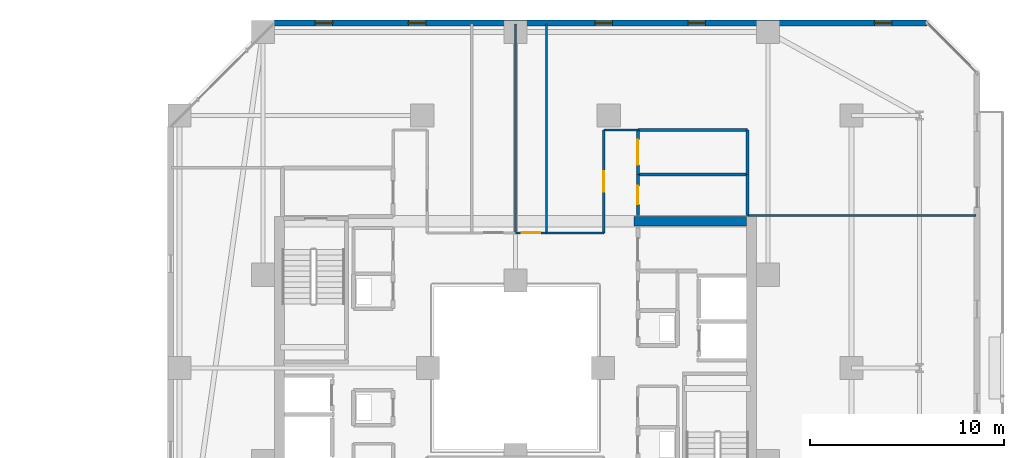
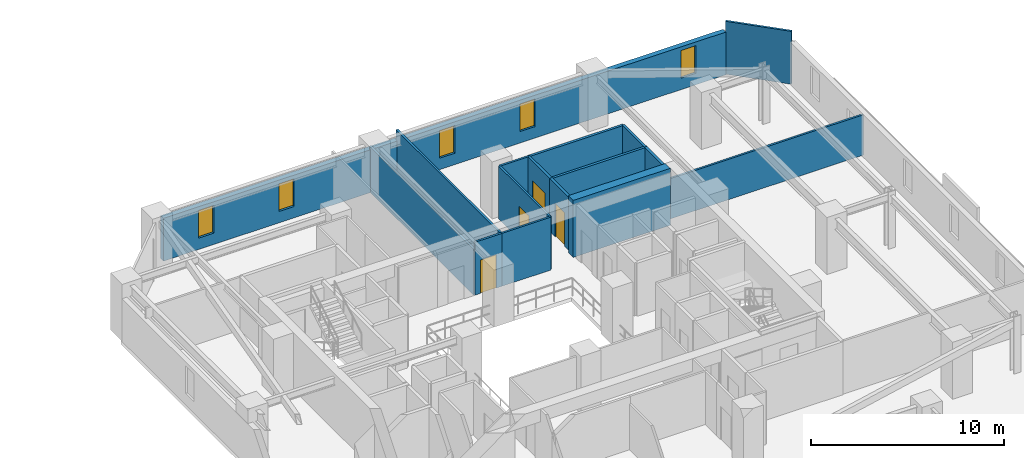
# One storey, part 25 of 33: 16 walls, 5 windows, 4 doors, 9 openings.
"""IFC4 building model written with IfcOpenShell, lengths in metres."""

from ifc_helpers import new_model, si_unit, direction, frame, frame_2d, origin, place, context, subcontext, project, spatial, rectangle, extrude, material, layer, layer_set, type_object, element, fill, save


model = new_model("IFC4")

# Units and contexts
model_context = context("Model", 3, precision=1e-05, world=origin(), true_north=direction((0.0, 1.0)))
body_context = subcontext(model_context, "Body", "Model", "MODEL_VIEW")
ifc_project = project(units=[si_unit("LENGTHUNIT", "METRE"), si_unit("AREAUNIT", "SQUARE_METRE"), si_unit("VOLUMEUNIT", "CUBIC_METRE"), si_unit("PLANEANGLEUNIT", "RADIAN"), si_unit("MASSUNIT", "GRAM", prefix="KILO")], contexts=[model_context])

# Site, building, storey
site_placement = place(None, origin())
site = spatial("IfcSite", under=ifc_project, at=site_placement, CompositionType="ELEMENT")
building_placement = place(site_placement, origin())
building = spatial("IfcBuilding", under=site, at=building_placement, Name="Thornwick Lancets Civic Towers", CompositionType="ELEMENT")
storey_placement = place(building_placement, frame((0.0, 0.0, 130.5)))
storey = spatial("IfcBuildingStorey", under=building, at=storey_placement, Name="L34", CompositionType="ELEMENT", Elevation=130.5)

# Wall
ifc_material_1 = material(Name="Concrete C50/60", Category="concrete")
ifc_layer_1 = layer(ifc_material_1, 0.5, Name="Concrete C50/60")
ifc_layer_set_1 = layer_set([ifc_layer_1], Name="Concrete C50/60")
wall_type_1 = type_object("IfcWallType", Name="WALL_CORE_500", PredefinedType="SHEAR", material=ifc_layer_set_1)
wall_1_placement = place(storey_placement, frame((94.60009765625, 34.550048828125, 0.0), z_axis=(0.0, 0.0, 1.0), x_axis=(1.0, 0.0, 0.0)))
element("IfcWall", 1, at=wall_1_placement, inside=storey, type_object=wall_type_1, Name="L34 Split Core B1 Shear Wall N", PredefinedType="SHEAR", context=body_context, shape_type="SweptSolid", body=[
    extrude(rectangle(XDim=5.7998046875, YDim=0.5, at=frame_2d((2.89990234375, 0.0))), origin(), (0.0, 0.0, 1.0), 3.60009765625),
])

# Wall, openings, windows
ifc_material_2 = material(Name="Insulated russet terracotta rainscreen on concrete C40/50", Category="masonry")
ifc_layer_2 = layer(ifc_material_2, 0.300048828125, Name="Insulated russet terracotta rainscreen on concrete C40/50")
ifc_layer_set_2 = layer_set([ifc_layer_2], Name="Insulated russet terracotta rainscreen on concrete C40/50")
wall_type_2 = type_object("IfcWallType", Name="WALL_EXT_RUSSET_300", PredefinedType="STANDARD", material=ifc_layer_set_2)
wall_2_placement = place(storey_placement, frame((109.681396484375, 44.7646484375, 0.0), z_axis=(0.0, 0.0, 1.0), x_axis=(-0.999999963872, -0.000268805477, 0.0)))
wall_2 = element("IfcWall", 2, at=wall_2_placement, inside=storey, type_object=wall_type_2, Name="L34 Tower B Terracotta Facade Wall E4", PredefinedType="STANDARD", context=body_context, shape_type="SweptSolid", body=[
    extrude(rectangle(XDim=33.60498046875, YDim=0.300048828125, at=frame_2d((16.802490234375, 0.0))), origin(), (0.0, 0.0, 1.0), 2.699951171875),
])
opening_1_placement = place(wall_2_placement, frame((1.800048828125, 0.0, 0.719970703125)))
opening_1 = element("IfcOpeningElement", 3, at=opening_1_placement, cuts=wall_2, Name="Opening WL-01", PredefinedType="OPENING", context=body_context, shape_type="SweptSolid", body=[
    extrude(rectangle(XDim=0.89990234375, YDim=1.75, at=frame_2d((0.449951171875, 0.875))), frame((0.0, 0.16015625, 0.0), z_axis=(0.0, -1.0, 0.0), x_axis=(1.0, 0.0, 0.0)), (0.0, 0.0, 1.0), 0.320068359375),
])
opening_2_placement = place(wall_2_placement, frame((11.39990234375, 0.0, 0.719970703125)))
opening_2 = element("IfcOpeningElement", 4, at=opening_2_placement, cuts=wall_2, Name="Opening WL-01", PredefinedType="OPENING", context=body_context, shape_type="SweptSolid", body=[
    extrude(rectangle(XDim=0.89990234375, YDim=1.75, at=frame_2d((0.449951171875, 0.875))), frame((0.0, 0.16015625, 0.0), z_axis=(0.0, -1.0, 0.0), x_axis=(1.0, 0.0, 0.0)), (0.0, 0.0, 1.0), 0.320068359375),
])
opening_3_placement = place(wall_2_placement, frame((16.199951171875, 0.0, 0.719970703125)))
opening_3 = element("IfcOpeningElement", 5, at=opening_3_placement, cuts=wall_2, Name="Opening WL-01", PredefinedType="OPENING", context=body_context, shape_type="SweptSolid", body=[
    extrude(rectangle(XDim=0.89990234375, YDim=1.75, at=frame_2d((0.449951171875, 0.875))), frame((0.0, 0.16015625, 0.0), z_axis=(0.0, -1.0, 0.0), x_axis=(1.0, 0.0, 0.0)), (0.0, 0.0, 1.0), 0.320068359375),
])
opening_4_placement = place(wall_2_placement, frame((25.800048828125, 0.0, 0.719970703125)))
opening_4 = element("IfcOpeningElement", 6, at=opening_4_placement, cuts=wall_2, Name="Opening WL-01", PredefinedType="OPENING", context=body_context, shape_type="SweptSolid", body=[
    extrude(rectangle(XDim=0.89990234375, YDim=1.75, at=frame_2d((0.449951171875, 0.875))), frame((0.0, 0.16015625, 0.0), z_axis=(0.0, -1.0, 0.0), x_axis=(1.0, 0.0, 0.0)), (0.0, 0.0, 1.0), 0.320068359375),
])
opening_5_placement = place(wall_2_placement, frame((30.60009765625, 0.0, 0.719970703125)))
opening_5 = element("IfcOpeningElement", 7, at=opening_5_placement, cuts=wall_2, Name="Opening WL-01", PredefinedType="OPENING", context=body_context, shape_type="SweptSolid", body=[
    extrude(rectangle(XDim=0.89990234375, YDim=1.75, at=frame_2d((0.449951171875, 0.875))), frame((0.0, 0.16015625, 0.0), z_axis=(0.0, -1.0, 0.0), x_axis=(1.0, 0.0, 0.0)), (0.0, 0.0, 1.0), 0.320068359375),
])
ifc_material_3 = material(Name="Clear low-e double glazing in bronze frame", Category="glass")
window_type = type_object("IfcWindowType", Name="WIN_LANCET_900", PartitioningType="SINGLE_PANEL", PredefinedType="WINDOW", material=ifc_material_3)
window_1_placement = place(opening_1_placement, origin())
window_1 = element("IfcWindow", 8, at=window_1_placement, inside=storey, type_object=window_type, Name="L34 Tower B Staggered Lancet Window E4-1", OverallHeight=1.75, OverallWidth=0.89990234375, PartitioningType="SINGLE_PANEL", PredefinedType="WINDOW", context=body_context, shape_type="SweptSolid", body=[
    extrude(rectangle(XDim=0.89990234375, YDim=1.75, at=frame_2d((0.449951171875, 0.875))), frame((0.0, 0.030029296875, 0.0), z_axis=(0.0, -1.0, 0.0), x_axis=(1.0, 0.0, 0.0)), (0.0, 0.0, 1.0), 0.06005859375),
])
fill(opening_1, window_1)
window_2_placement = place(opening_2_placement, origin())
window_2 = element("IfcWindow", 9, at=window_2_placement, inside=storey, type_object=window_type, Name="L34 Tower B Staggered Lancet Window E4-2", OverallHeight=1.75, OverallWidth=0.89990234375, PartitioningType="SINGLE_PANEL", PredefinedType="WINDOW", context=body_context, shape_type="SweptSolid", body=[
    extrude(rectangle(XDim=0.89990234375, YDim=1.75, at=frame_2d((0.449951171875, 0.875))), frame((0.0, 0.030029296875, 0.0), z_axis=(0.0, -1.0, 0.0), x_axis=(1.0, 0.0, 0.0)), (0.0, 0.0, 1.0), 0.06005859375),
])
fill(opening_2, window_2)
window_3_placement = place(opening_3_placement, origin())
window_3 = element("IfcWindow", 10, at=window_3_placement, inside=storey, type_object=window_type, Name="L34 Tower B Staggered Lancet Window E4-3", OverallHeight=1.75, OverallWidth=0.89990234375, PartitioningType="SINGLE_PANEL", PredefinedType="WINDOW", context=body_context, shape_type="SweptSolid", body=[
    extrude(rectangle(XDim=0.89990234375, YDim=1.75, at=frame_2d((0.449951171875, 0.875))), frame((0.0, 0.030029296875, 0.0), z_axis=(0.0, -1.0, 0.0), x_axis=(1.0, 0.0, 0.0)), (0.0, 0.0, 1.0), 0.06005859375),
])
fill(opening_3, window_3)
window_4_placement = place(opening_4_placement, origin())
window_4 = element("IfcWindow", 11, at=window_4_placement, inside=storey, type_object=window_type, Name="L34 Tower B Staggered Lancet Window E4-4", OverallHeight=1.75, OverallWidth=0.89990234375, PartitioningType="SINGLE_PANEL", PredefinedType="WINDOW", context=body_context, shape_type="SweptSolid", body=[
    extrude(rectangle(XDim=0.89990234375, YDim=1.75, at=frame_2d((0.449951171875, 0.875))), frame((0.0, 0.030029296875, 0.0), z_axis=(0.0, -1.0, 0.0), x_axis=(1.0, 0.0, 0.0)), (0.0, 0.0, 1.0), 0.06005859375),
])
fill(opening_4, window_4)
window_5_placement = place(opening_5_placement, origin())
window_5 = element("IfcWindow", 12, at=window_5_placement, inside=storey, type_object=window_type, Name="L34 Tower B Staggered Lancet Window E4-5", OverallHeight=1.75, OverallWidth=0.89990234375, PartitioningType="SINGLE_PANEL", PredefinedType="WINDOW", context=body_context, shape_type="SweptSolid", body=[
    extrude(rectangle(XDim=0.89990234375, YDim=1.75, at=frame_2d((0.449951171875, 0.875))), frame((0.0, 0.030029296875, 0.0), z_axis=(0.0, -1.0, 0.0), x_axis=(1.0, 0.0, 0.0)), (0.0, 0.0, 1.0), 0.06005859375),
])
fill(opening_5, window_5)

# Wall
ifc_material_4 = material(Name="Acoustic gypsum board partition")
ifc_layer_3 = layer(ifc_material_4, 0.1201171875, Name="Acoustic gypsum board partition")
ifc_layer_set_3 = layer_set([ifc_layer_3], Name="Acoustic gypsum board partition")
wall_type_3 = type_object("IfcWallType", Name="WALL_PART_120", PredefinedType="PARTITIONING", material=ifc_layer_set_3)
wall_3_placement = place(storey_placement, frame((94.800048828125, 39.25, 0.0), z_axis=(0.0, 0.0, 1.0), x_axis=(-1.0, 0.0, 0.0)))
element("IfcWall", 13, at=wall_3_placement, inside=storey, type_object=wall_type_3, Name="L34 Partition L34-B-E1 E4", PredefinedType="PARTITIONING", context=body_context, shape_type="SweptSolid", body=[
    extrude(rectangle(XDim=1.75, YDim=0.1201171875, at=frame_2d((0.875, 0.0))), origin(), (0.0, 0.0, 1.0), 3.340087890625),
])

# Wall, opening, door
wall_4_placement = place(storey_placement, frame((93.050048828125, 39.25, 0.0), z_axis=(0.0, 0.0, 1.0), x_axis=(0.0, -1.0, 0.0)))
wall_4 = element("IfcWall", 14, at=wall_4_placement, inside=storey, type_object=wall_type_3, Name="L34 Partition L34-B-E1 E5", PredefinedType="PARTITIONING", context=body_context, shape_type="SweptSolid", body=[
    extrude(rectangle(XDim=5.300048828125, YDim=0.1201171875, at=frame_2d((2.64990234375, 0.0))), origin(), (0.0, 0.0, 1.0), 3.340087890625),
])
opening_6_placement = place(wall_4_placement, frame((2.125, 0.0, 0.0)))
opening_6 = element("IfcOpeningElement", 15, at=opening_6_placement, cuts=wall_4, Name="Opening D-L34-1567", PredefinedType="OPENING", context=body_context, shape_type="SweptSolid", body=[
    extrude(rectangle(XDim=1.050048828125, YDim=2.10009765625, at=frame_2d((0.52490234375, 1.050048828125))), frame((0.0, 0.070068359375, 0.0), z_axis=(0.0, -1.0, 0.0), x_axis=(1.0, 0.0, 0.0)), (0.0, 0.0, 1.0), 0.14013671875),
])
ifc_material_5 = material(Name="Glazed European oak executive doorset")
door_type_1 = type_object("IfcDoorType", Name="DOOR_OFFICE_1050", OperationType="NOTDEFINED", PredefinedType="DOOR", material=ifc_material_5)
door_1_placement = place(opening_6_placement, origin())
door_1 = element("IfcDoor", 16, at=door_1_placement, inside=storey, type_object=door_type_1, Name="L34 Tower B Secretariat Open Office E1 Door", OperationType="SINGLE_SWING_RIGHT", OverallHeight=2.10009765625, OverallWidth=1.050048828125, PredefinedType="DOOR", context=body_context, shape_type="SweptSolid", body=[
    extrude(rectangle(XDim=1.050048828125, YDim=2.10009765625, at=frame_2d((0.52490234375, 1.050048828125))), frame((0.0, 0.02490234375, 0.0), z_axis=(0.0, -1.0, 0.0), x_axis=(1.0, 0.0, 0.0)), (0.0, 0.0, 1.0), 0.050048828125),
])
fill(opening_6, door_1)

# Walls
wall_5_placement = place(storey_placement, frame((93.050048828125, 33.949951171875, 0.0), z_axis=(0.0, 0.0, 1.0), x_axis=(-1.0, 0.0, 0.0)))
element("IfcWall", 17, at=wall_5_placement, inside=storey, type_object=wall_type_3, Name="L34 Partition L34-B-E1 E6", PredefinedType="PARTITIONING", context=body_context, shape_type="SweptSolid", body=[
    extrude(rectangle(XDim=2.949951171875, YDim=0.1201171875, at=frame_2d((1.47509765625, 0.0))), origin(), (0.0, 0.0, 1.0), 3.340087890625),
])
wall_6_placement = place(storey_placement, frame((90.10009765625, 33.949951171875, 0.0), z_axis=(0.0, 0.0, 1.0), x_axis=(0.0, 1.0, 0.0)))
element("IfcWall", 18, at=wall_6_placement, inside=storey, type_object=wall_type_3, Name="L34 Partition L34-B-E1 E7", PredefinedType="PARTITIONING", context=body_context, shape_type="SweptSolid", body=[
    extrude(rectangle(XDim=10.77001953125, YDim=0.1201171875, at=frame_2d((5.385009765625, 0.0))), origin(), (0.0, 0.0, 1.0), 3.340087890625),
])
wall_7_placement = place(storey_placement, frame((109.725341796875, 44.719970703125, 0.0), z_axis=(0.0, 0.0, 1.0), x_axis=(0.707106781187, -0.707106781187, 0.0)))
element("IfcWall", 19, at=wall_7_placement, inside=storey, type_object=wall_type_3, Name="L34 Partition L34-B-E1 E9", PredefinedType="PARTITIONING", context=body_context, shape_type="SweptSolid", body=[
    extrude(rectangle(XDim=3.52783203125, YDim=0.1201171875, at=frame_2d((1.763916015625, 0.0))), origin(), (0.0, 0.0, 1.0), 3.340087890625),
])
wall_8_placement = place(storey_placement, frame((112.219970703125, 34.85009765625, 0.0), z_axis=(0.0, 0.0, 1.0), x_axis=(-1.0, 0.0, 0.0)))
element("IfcWall", 20, at=wall_8_placement, inside=storey, type_object=wall_type_3, Name="L34 Partition L34-B-E1 E11", PredefinedType="PARTITIONING", context=body_context, shape_type="SweptSolid", body=[
    extrude(rectangle(XDim=11.77001953125, YDim=0.1201171875, at=frame_2d((5.885009765625, 0.0))), origin(), (0.0, 0.0, 1.0), 2.544921875),
])
wall_9_placement = place(storey_placement, frame((88.5, 33.949951171875, 0.0), z_axis=(0.0, 0.0, 1.0), x_axis=(0.0, 1.0, 0.0)))
element("IfcWall", 21, at=wall_9_placement, inside=storey, type_object=wall_type_3, Name="L34 Partition L34-B-E2 E1", PredefinedType="PARTITIONING", context=body_context, shape_type="SweptSolid", body=[
    extrude(rectangle(XDim=10.77001953125, YDim=0.1201171875, at=frame_2d((5.385009765625, 0.0))), origin(), (0.0, 0.0, 1.0), 2.877685546875),
])

# Wall, opening, door
wall_10_placement = place(storey_placement, frame((90.10009765625, 33.949951171875, 0.0), z_axis=(0.0, 0.0, 1.0), x_axis=(-1.0, 0.0, 0.0)))
wall_10 = element("IfcWall", 22, at=wall_10_placement, inside=storey, type_object=wall_type_3, Name="L34 Partition L34-B-E2 E4", PredefinedType="PARTITIONING", context=body_context, shape_type="SweptSolid", body=[
    extrude(rectangle(XDim=1.60009765625, YDim=0.1201171875, at=frame_2d((0.800048828125, 0.0))), origin(), (0.0, 0.0, 1.0), 3.340087890625),
])
opening_7_placement = place(wall_10_placement, frame((0.324951171875, 0.0, 0.0)))
opening_7 = element("IfcOpeningElement", 23, at=opening_7_placement, cuts=wall_10, Name="Opening D-L34-1568", PredefinedType="OPENING", context=body_context, shape_type="SweptSolid", body=[
    extrude(rectangle(XDim=0.949951171875, YDim=2.10009765625, at=frame_2d((0.47509765625, 1.050048828125))), frame((0.0, 0.070068359375, 0.0), z_axis=(0.0, -1.0, 0.0), x_axis=(1.0, 0.0, 0.0)), (0.0, 0.0, 1.0), 0.14013671875),
])
ifc_material_6 = material(Name="European oak acoustic doorset")
door_type_2 = type_object("IfcDoorType", Name="DOOR_OFFICE_950", OperationType="NOTDEFINED", PredefinedType="DOOR", material=ifc_material_6)
door_2_placement = place(opening_7_placement, origin())
door_2 = element("IfcDoor", 24, at=door_2_placement, inside=storey, type_object=door_type_2, Name="L34 Tower B Visitors Reception and Waiting Door", OperationType="SINGLE_SWING_LEFT", OverallHeight=2.10009765625, OverallWidth=0.949951171875, PredefinedType="DOOR", context=body_context, shape_type="SweptSolid", body=[
    extrude(rectangle(XDim=0.949951171875, YDim=2.10009765625, at=frame_2d((0.47509765625, 1.050048828125))), frame((0.0, 0.02490234375, 0.0), z_axis=(0.0, -1.0, 0.0), x_axis=(1.0, 0.0, 0.0)), (0.0, 0.0, 1.0), 0.050048828125),
])
fill(opening_7, door_2)

# Wall
ifc_material_7 = material(Name="Twin-stud acoustic gypsum board")
ifc_layer_4 = layer(ifc_material_7, 0.14990234375, Name="Twin-stud acoustic gypsum board")
ifc_layer_set_4 = layer_set([ifc_layer_4], Name="Twin-stud acoustic gypsum board")
wall_type_4 = type_object("IfcWallType", Name="WALL_PART_150", PredefinedType="PARTITIONING", material=ifc_layer_set_4)
wall_11_placement = place(storey_placement, frame((100.449951171875, 36.949951171875, 0.0), z_axis=(0.0, 0.0, 1.0), x_axis=(0.0, -1.0, 0.0)))
element("IfcWall", 25, at=wall_11_placement, inside=storey, type_object=wall_type_4, Name="L34 Partition L34-B-RECLAIM-L1 E1", PredefinedType="PARTITIONING", context=body_context, shape_type="SweptSolid", body=[
    extrude(rectangle(XDim=2.099853515625, YDim=0.14990234375, at=frame_2d((1.0498046875, 0.0))), origin(), (0.0, 0.0, 1.0), 3.340087890625),
])

# Wall, opening, door
wall_12_placement = place(storey_placement, frame((94.800048828125, 34.85009765625, 0.0), z_axis=(0.0, 0.0, 1.0), x_axis=(0.0, 1.0, 0.0)))
wall_12 = element("IfcWall", 26, at=wall_12_placement, inside=storey, type_object=wall_type_4, Name="L34 Partition L34-B-RECLAIM-L1 E3", PredefinedType="PARTITIONING", context=body_context, shape_type="SweptSolid", body=[
    extrude(rectangle(XDim=2.099853515625, YDim=0.14990234375, at=frame_2d((1.0498046875, 0.0))), origin(), (0.0, 0.0, 1.0), 3.340087890625),
])
opening_8_placement = place(wall_12_placement, frame((0.574951171875, 0.0, 0.0)))
opening_8 = element("IfcOpeningElement", 27, at=opening_8_placement, cuts=wall_12, Name="Opening D-L34-1562", PredefinedType="OPENING", context=body_context, shape_type="SweptSolid", body=[
    extrude(rectangle(XDim=0.949951171875, YDim=2.10009765625, at=frame_2d((0.47509765625, 1.050048828125))), frame((0.0, 0.0849609375, 0.0), z_axis=(0.0, -1.0, 0.0), x_axis=(1.0, 0.0, 0.0)), (0.0, 0.0, 1.0), 0.169921875),
])
door_3_placement = place(opening_8_placement, origin())
door_3 = element("IfcDoor", 28, at=door_3_placement, inside=storey, type_object=door_type_2, Name="L34 Tower B Policy Archive Door", OperationType="SINGLE_SWING_LEFT", OverallHeight=2.10009765625, OverallWidth=0.949951171875, PredefinedType="DOOR", context=body_context, shape_type="SweptSolid", body=[
    extrude(rectangle(XDim=0.949951171875, YDim=2.10009765625, at=frame_2d((0.47509765625, 1.050048828125))), frame((0.0, 0.02490234375, 0.0), z_axis=(0.0, -1.0, 0.0), x_axis=(1.0, 0.0, 0.0)), (0.0, 0.0, 1.0), 0.050048828125),
])
fill(opening_8, door_3)

# Wall
wall_13_placement = place(storey_placement, frame((94.800048828125, 36.949951171875, 0.0), z_axis=(0.0, 0.0, 1.0), x_axis=(1.0, 0.0, 0.0)))
element("IfcWall", 29, at=wall_13_placement, inside=storey, type_object=wall_type_4, Name="L34 Partition L34-B-RECLAIM-L1 E4", PredefinedType="PARTITIONING", context=body_context, shape_type="SweptSolid", body=[
    extrude(rectangle(XDim=5.64990234375, YDim=0.14990234375, at=frame_2d((2.824951171875, 0.0))), origin(), (0.0, 0.0, 1.0), 3.340087890625),
])

# Wall, opening, door
wall_14_placement = place(storey_placement, frame((94.800048828125, 36.949951171875, 0.0), z_axis=(0.0, 0.0, 1.0), x_axis=(0.0, 1.0, 0.0)))
wall_14 = element("IfcWall", 30, at=wall_14_placement, inside=storey, type_object=wall_type_4, Name="L34 Partition L34-B-RECLAIM-L2 E1", PredefinedType="PARTITIONING", context=body_context, shape_type="SweptSolid", body=[
    extrude(rectangle(XDim=2.300048828125, YDim=0.14990234375, at=frame_2d((1.14990234375, 0.0))), origin(), (0.0, 0.0, 1.0), 3.340087890625),
])
opening_9_placement = place(wall_14_placement, frame((0.5, 0.0, 0.0)))
opening_9 = element("IfcOpeningElement", 31, at=opening_9_placement, cuts=wall_14, Name="Opening D-L34-1563", PredefinedType="OPENING", context=body_context, shape_type="SweptSolid", body=[
    extrude(rectangle(XDim=1.300048828125, YDim=2.1201171875, at=frame_2d((0.64990234375, 1.06005859375))), frame((0.0, 0.0849609375, 0.0), z_axis=(0.0, -1.0, 0.0), x_axis=(1.0, 0.0, 0.0)), (0.0, 0.0, 1.0), 0.169921875),
])
ifc_material_8 = material(Name="Acoustic oak leaf-and-a-half doorset")
door_type_3 = type_object("IfcDoorType", Name="DOOR_MEET_1300", OperationType="DOUBLE_DOOR_SINGLE_SWING", PredefinedType="DOOR", material=ifc_material_8)
door_4_placement = place(opening_9_placement, origin())
door_4 = element("IfcDoor", 32, at=door_4_placement, inside=storey, type_object=door_type_3, Name="L34 Tower B Ministerial Consultation Room Door", OperationType="DOUBLE_DOOR_SINGLE_SWING", OverallHeight=2.1201171875, OverallWidth=1.300048828125, PredefinedType="DOOR", context=body_context, shape_type="SweptSolid", body=[
    extrude(rectangle(XDim=1.300048828125, YDim=2.1201171875, at=frame_2d((0.64990234375, 1.06005859375))), frame((0.0, 0.02490234375, 0.0), z_axis=(0.0, -1.0, 0.0), x_axis=(1.0, 0.0, 0.0)), (0.0, 0.0, 1.0), 0.050048828125),
])
fill(opening_9, door_4)

# Walls
wall_15_placement = place(storey_placement, frame((94.800048828125, 39.25, 0.0), z_axis=(0.0, 0.0, 1.0), x_axis=(1.0, 0.0, 0.0)))
element("IfcWall", 33, at=wall_15_placement, inside=storey, type_object=wall_type_4, Name="L34 Partition L34-B-RECLAIM-L2 E2", PredefinedType="PARTITIONING", context=body_context, shape_type="SweptSolid", body=[
    extrude(rectangle(XDim=5.64990234375, YDim=0.14990234375, at=frame_2d((2.824951171875, 0.0))), origin(), (0.0, 0.0, 1.0), 3.340087890625),
])
wall_16_placement = place(storey_placement, frame((100.449951171875, 39.25, 0.0), z_axis=(0.0, 0.0, 1.0), x_axis=(0.0, -1.0, 0.0)))
element("IfcWall", 34, at=wall_16_placement, inside=storey, type_object=wall_type_4, Name="L34 Partition L34-B-RECLAIM-L2 E3", PredefinedType="PARTITIONING", context=body_context, shape_type="SweptSolid", body=[
    extrude(rectangle(XDim=2.300048828125, YDim=0.14990234375, at=frame_2d((1.14990234375, 0.0))), origin(), (0.0, 0.0, 1.0), 3.340087890625),
])

save(model, "model.ifc")
